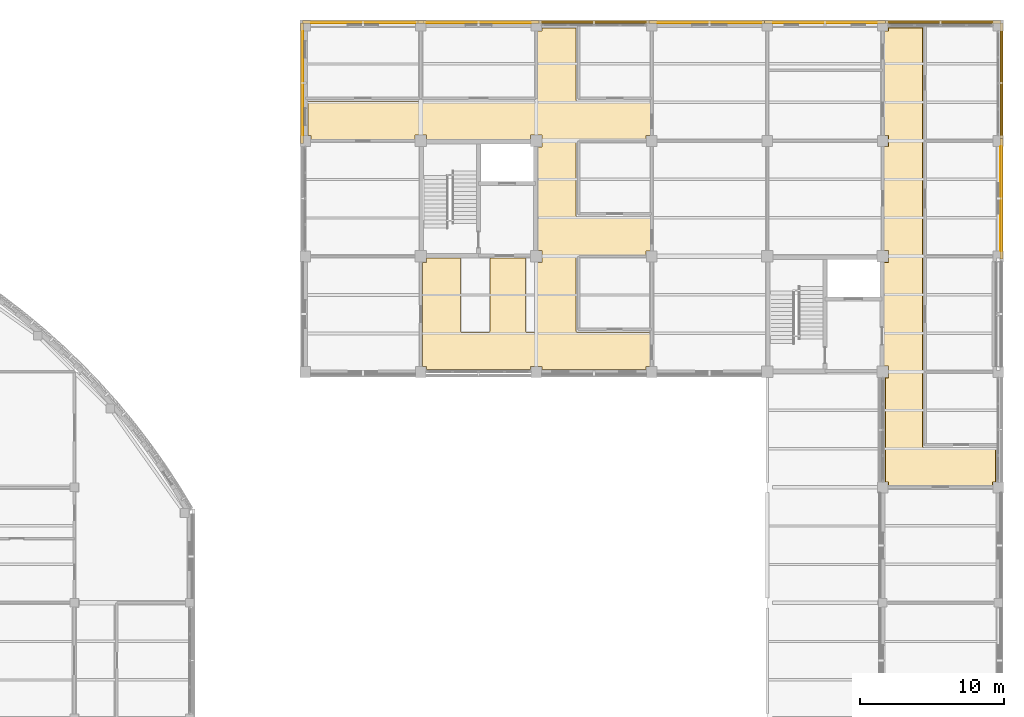
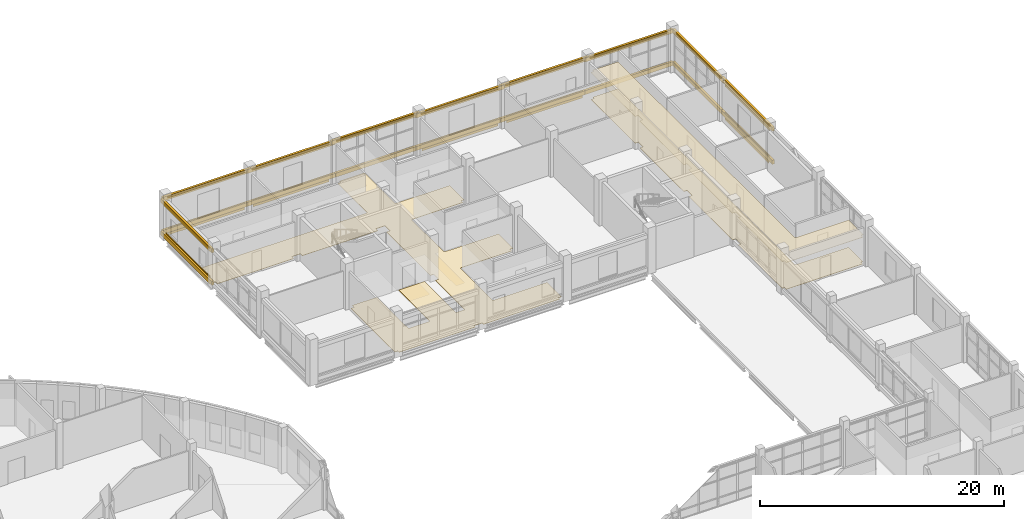
# One storey, part 121 of 121: 27 coverings, 10 shading devices.
"""IFC4 building model written with IfcOpenShell, lengths in metres."""

from ifc_helpers import new_model, si_unit, derived_unit, direction, frame, origin, origin_2d, place, context, subcontext, project, spatial, polyline, rectangle, circle, outline, extrude, material, layer, layer_set, material_profile, profile_set, type_object, element, save


model = new_model("IFC4")

# Units and contexts
model_context = context("Model", 3, precision=1e-05, world=origin(), true_north=direction((0.0, 1.0)))
body_context = subcontext(model_context, "Body", "Model", "MODEL_VIEW")
ifc_project = project(units=[si_unit("LENGTHUNIT", "METRE"), si_unit("AREAUNIT", "SQUARE_METRE"), si_unit("VOLUMEUNIT", "CUBIC_METRE"), si_unit("PLANEANGLEUNIT", "RADIAN"), si_unit("MASSUNIT", "GRAM", prefix="KILO"), derived_unit("THERMALTRANSMITTANCEUNIT", [(si_unit("MASSUNIT", "GRAM", prefix="KILO"), 1), (si_unit("TIMEUNIT", "SECOND"), -3), (si_unit("THERMODYNAMICTEMPERATUREUNIT", "KELVIN"), -1)])], contexts=[model_context])

# Site, building, storey
site_placement = place(None, origin())
site = spatial("IfcSite", under=ifc_project, at=site_placement, CompositionType="ELEMENT")
building_placement = place(site_placement, origin())
building = spatial("IfcBuilding", under=site, at=building_placement, Name="Veyamyaing Civic Hall", CompositionType="ELEMENT")
storey_placement = place(building_placement, frame((0.0, 0.0, 5.280029296875)))
storey = spatial("IfcBuildingStorey", under=building, at=storey_placement, Name="L01", CompositionType="ELEMENT", Elevation=5.280029296875)

# Coverings
ifc_material_1 = material(Name="Buff sandstone ashlar cladding", Category="masonry")
ifc_layer_1 = layer(ifc_material_1, 0.050048828125, Name="Buff sandstone ashlar cladding")
ifc_layer_set_1 = layer_set([ifc_layer_1], Name="Buff sandstone ashlar cladding")
covering_type_1 = type_object("IfcCoveringType", Name="CL-01", PredefinedType="CLADDING", material=ifc_layer_set_1)
for number, where, z_axis, x_axis, name in (
    (1, (132.0, 112.160888671875, 0.044921875), (0.0, 0.0, 1.0), (1.0, 0.0, 0.0), "Facade spandrel cladding CL-01 L01 N 17.14"),
    (2, (127.839111328125, 108.0, 0.044921875), (0.0, 0.0, 1.0), (0.0, 1.0, 0.0), "Facade spandrel cladding CL-01 L01 W 17.14"),
    (3, (140.0, 112.160888671875, 0.044921875), (0.0, 0.0, 1.0), (1.0, 0.0, 0.0), "Facade spandrel cladding CL-01 L01 N 18.14"),
    (4, (156.0, 112.160888671875, 0.044921875), (0.0, 0.0, 1.0), (1.0, 0.0, 0.0), "Facade spandrel cladding CL-01 L01 N 20.14"),
    (5, (164.0, 112.160888671875, 0.044921875), (0.0, 0.0, 1.0), (1.0, 0.0, 0.0), "Facade spandrel cladding CL-01 L01 N 21.14"),
    (6, (176.160888671875, 100.0, 0.044921875), (0.0, 0.0, 1.0), (0.0, 1.0, 0.0), "Facade spandrel cladding CL-01 L01 E 22.13"),
):
    element("IfcCovering", number, at=place(storey_placement, frame(where, z_axis=z_axis, x_axis=x_axis)), inside=storey, type_object=covering_type_1, Name=name, PredefinedType="CLADDING", context=body_context, shape_type="SweptSolid", body=[
        extrude(rectangle(XDim=7.199951171875, YDim=0.050048828125, at=origin_2d()), origin(), (0.0, 0.0, 1.0), 0.75),
    ])
ifc_material_2 = material(Name="White powder-coated aluminium 6063-T6", Category="aluminium")
ifc_layer_2 = layer(ifc_material_2, 0.2099609375, Name="White powder-coated aluminium 6063-T6")
ifc_layer_set_2 = layer_set([ifc_layer_2], Name="White powder-coated aluminium 6063-T6")
covering_type_2 = type_object("IfcCoveringType", Name="CL-03", PredefinedType="CLADDING", material=ifc_layer_set_2)
for number, where, z_axis, x_axis, name in (
    (7, (132.0, 112.239990234375, 3.596923828125), (0.0, 0.0, 1.0), (1.0, 0.0, 0.0), "Continuous white head fascia ribbon CL-03 L01 N 17.14"),
    (8, (132.0, 112.239990234375, 0.280029296875), (0.0, 0.0, 1.0), (1.0, 0.0, 0.0), "Continuous white sill fascia ribbon CL-03 L01 N 17.14"),
    (9, (127.760009765625, 108.0, 3.533935546875), (0.0, 0.0, 1.0), (0.0, 1.0, 0.0), "Continuous white head fascia ribbon CL-03 L01 W 17.14"),
    (10, (127.760009765625, 108.0, 0.280029296875), (0.0, 0.0, 1.0), (0.0, 1.0, 0.0), "Continuous white sill fascia ribbon CL-03 L01 W 17.14"),
    (11, (140.0, 112.239990234375, 3.574951171875), (0.0, 0.0, 1.0), (1.0, 0.0, 0.0), "Continuous white head fascia ribbon CL-03 L01 N 18.14"),
    (12, (140.0, 112.239990234375, 0.280029296875), (0.0, 0.0, 1.0), (1.0, 0.0, 0.0), "Continuous white sill fascia ribbon CL-03 L01 N 18.14"),
    (13, (148.0, 112.239990234375, 3.638916015625), (0.0, 0.0, 1.0), (1.0, 0.0, 0.0), "Continuous white head fascia ribbon CL-03 L01 N 19.14"),
    (14, (148.0, 112.239990234375, 0.280029296875), (0.0, 0.0, 1.0), (1.0, 0.0, 0.0), "Continuous white sill fascia ribbon CL-03 L01 N 19.14"),
    (15, (156.0, 112.239990234375, 3.533935546875), (0.0, 0.0, 1.0), (1.0, 0.0, 0.0), "Continuous white head fascia ribbon CL-03 L01 N 20.14"),
    (16, (156.0, 112.239990234375, 0.280029296875), (0.0, 0.0, 1.0), (1.0, 0.0, 0.0), "Continuous white sill fascia ribbon CL-03 L01 N 20.14"),
    (17, (164.0, 112.239990234375, 3.596923828125), (0.0, 0.0, 1.0), (1.0, 0.0, 0.0), "Continuous white head fascia ribbon CL-03 L01 N 21.14"),
    (18, (164.0, 112.239990234375, 0.280029296875), (0.0, 0.0, 1.0), (1.0, 0.0, 0.0), "Continuous white sill fascia ribbon CL-03 L01 N 21.14"),
    (19, (176.239990234375, 100.0, 3.596923828125), (0.0, 0.0, 1.0), (0.0, 1.0, 0.0), "Continuous white head fascia ribbon CL-03 L01 E 22.13"),
    (20, (176.239990234375, 100.0, 0.280029296875), (0.0, 0.0, 1.0), (0.0, 1.0, 0.0), "Continuous white sill fascia ribbon CL-03 L01 E 22.13"),
    (21, (172.0, 112.239990234375, 3.530029296875), (0.0, 0.0, 1.0), (1.0, 0.0, 0.0), "Continuous white head fascia ribbon CL-03 L01 N 22.14"),
    (22, (172.0, 112.239990234375, 0.280029296875), (0.0, 0.0, 1.0), (1.0, 0.0, 0.0), "Continuous white sill fascia ribbon CL-03 L01 N 22.14"),
    (23, (176.239990234375, 108.0, 3.530029296875), (0.0, 0.0, 1.0), (0.0, 1.0, 0.0), "Continuous white head fascia ribbon CL-03 L01 E 22.14"),
    (24, (176.239990234375, 108.0, 0.280029296875), (0.0, 0.0, 1.0), (0.0, 1.0, 0.0), "Continuous white sill fascia ribbon CL-03 L01 E 22.14"),
):
    element("IfcCovering", number, at=place(storey_placement, frame(where, z_axis=z_axis, x_axis=x_axis)), inside=storey, type_object=covering_type_2, Name=name, PredefinedType="CLADDING", context=body_context, shape_type="SweptSolid", body=[
        extrude(rectangle(XDim=8.360107421875, YDim=0.2099609375, at=origin_2d()), origin(), (0.0, 0.0, 1.0), 0.39990234375),
    ])
ifc_material_3 = material(Name="Perforated acoustic gypsum ceiling board")
ifc_layer_3 = layer(ifc_material_3, 0.02490234375, Name="Perforated acoustic gypsum ceiling board")
ifc_layer_set_3 = layer_set([ifc_layer_3], Name="Perforated acoustic gypsum ceiling board")
covering_type_3 = type_object("IfcCoveringType", Name="CLG-01", PredefinedType="CEILING", material=ifc_layer_set_3)
covering_1_placement = place(storey_placement, frame((0.0, 0.0, 2.699951171875)))
element("IfcCovering", 25, at=covering_1_placement, inside=storey, type_object=covering_type_3, Name="Acoustic suspended ceiling CLG-01 L01-C08", PredefinedType="CEILING", context=body_context, shape_type="SweptSolid", body=[
    extrude(outline(polyline([(170.783935546875, 82.8154296875), (170.802734375, 82.79248046875), (170.8291015625, 82.7783203125), (170.851806640625, 82.77490234375), (175.844970703125, 82.77490234375), (175.844970703125, 80.360107421875), (175.639892578125, 80.360107421875), (175.639892578125, 80.074951171875), (168.360107421875, 80.074951171875), (168.360107421875, 80.360107421875), (168.155029296875, 80.360107421875), (168.155029296875, 87.614990234375), (168.385009765625, 87.614990234375), (168.385009765625, 88.385009765625), (168.074951171875, 88.385009765625), (168.074951171875, 95.614990234375), (168.385009765625, 95.614990234375), (168.385009765625, 96.385009765625), (168.074951171875, 96.385009765625), (168.074951171875, 103.639892578125), (168.360107421875, 103.639892578125), (168.360107421875, 104.360107421875), (168.074951171875, 104.360107421875), (168.074951171875, 111.639892578125), (168.360107421875, 111.639892578125), (168.360107421875, 111.844970703125), (170.77490234375, 111.844970703125), (170.77685546875, 82.834716796875), (170.783935546875, 82.8154296875)])), origin(), (0.0, 0.0, 1.0), 0.02490234375),
])
ifc_material_4 = material(Name="Polished Mandalay marble and terrazzo flooring", Category="masonry")
ifc_layer_4 = layer(ifc_material_4, 0.030029296875, Name="Polished Mandalay marble and terrazzo flooring")
ifc_layer_set_4 = layer_set([ifc_layer_4], Name="Polished Mandalay marble and terrazzo flooring")
covering_type_4 = type_object("IfcCoveringType", Name="FLR-01", PredefinedType="FLOORING", material=ifc_layer_set_4)
covering_2_placement = place(storey_placement, origin())
element("IfcCovering", 26, at=covering_2_placement, inside=storey, type_object=covering_type_4, Name="Stone and terrazzo flooring FLR-01 L01-C07", PredefinedType="FLOORING", context=body_context, shape_type="SweptSolid", body=[
    extrude(outline(polyline([(138.76171875, 90.802978515625), (138.78662109375, 90.772705078125), (138.821044921875, 90.75439453125), (138.85009765625, 90.75), (140.699951171875, 90.75), (140.72900390625, 90.75439453125), (140.755615234375, 90.766845703125), (140.77734375, 90.78662109375), (140.79248046875, 90.811767578125), (140.800048828125, 90.85009765625), (140.800048828125, 95.89990234375), (143.25, 95.89990234375), (143.251953125, 90.83056640625), (143.26171875, 90.802978515625), (143.28662109375, 90.772705078125), (143.321044921875, 90.75439453125), (143.35009765625, 90.75), (144.009765625, 90.75048828125), (144.029052734375, 90.75439453125), (144.0556640625, 90.766845703125), (144.077392578125, 90.78662109375), (144.09228515625, 90.811767578125), (144.10009765625, 90.85009765625), (144.10009765625, 95.590087890625), (144.409912109375, 95.590087890625), (144.409912109375, 96.409912109375), (144.10009765625, 96.409912109375), (144.10009765625, 103.590087890625), (144.409912109375, 103.590087890625), (144.409912109375, 104.409912109375), (143.590087890625, 104.409912109375), (143.590087890625, 104.10009765625), (136.409912109375, 104.10009765625), (136.409912109375, 104.409912109375), (135.590087890625, 104.409912109375), (135.590087890625, 104.10009765625), (128.385009765625, 104.10009765625), (128.385009765625, 104.385009765625), (128.179931640625, 104.385009765625), (128.179931640625, 106.75), (144.0, 106.75), (144.029052734375, 106.75439453125), (144.0556640625, 106.766845703125), (144.0830078125, 106.79443359375), (144.095703125, 106.821044921875), (144.10009765625, 106.85009765625), (144.10009765625, 111.614990234375), (144.385009765625, 111.614990234375), (144.385009765625, 111.820068359375), (146.75, 111.820068359375), (146.75, 106.85009765625), (146.757568359375, 106.811767578125), (146.779296875, 106.779296875), (146.811767578125, 106.757568359375), (146.85009765625, 106.75), (151.89990234375, 106.75), (151.89990234375, 104.385009765625), (151.614990234375, 104.385009765625), (151.614990234375, 104.10009765625), (146.85009765625, 104.10009765625), (146.821044921875, 104.095703125), (146.79443359375, 104.0830078125), (146.766845703125, 104.0556640625), (146.75439453125, 104.029052734375), (146.75, 104.0), (146.75, 98.85009765625), (146.75439453125, 98.821044921875), (146.766845703125, 98.79443359375), (146.78662109375, 98.772705078125), (146.802978515625, 98.76171875), (146.821044921875, 98.75439453125), (146.85009765625, 98.75), (151.89990234375, 98.75), (151.89990234375, 96.385009765625), (151.614990234375, 96.385009765625), (151.614990234375, 96.10009765625), (146.85009765625, 96.10009765625), (146.811767578125, 96.09228515625), (146.779296875, 96.07080078125), (146.757568359375, 96.038330078125), (146.75, 96.0), (146.751953125, 90.83056640625), (146.76171875, 90.802978515625), (146.78662109375, 90.772705078125), (146.821044921875, 90.75439453125), (146.85009765625, 90.75), (151.89990234375, 90.75), (151.89990234375, 88.385009765625), (151.614990234375, 88.385009765625), (151.614990234375, 88.179931640625), (144.385009765625, 88.179931640625), (144.385009765625, 88.385009765625), (143.614990234375, 88.385009765625), (143.614990234375, 88.179931640625), (136.385009765625, 88.179931640625), (136.385009765625, 88.385009765625), (136.10009765625, 88.385009765625), (136.10009765625, 95.590087890625), (136.409912109375, 95.590087890625), (136.409912109375, 95.89990234375), (138.75, 95.89990234375), (138.751953125, 90.83056640625), (138.76171875, 90.802978515625)])), origin(), (0.0, 0.0, 1.0), 0.030029296875),
])
covering_3_placement = place(storey_placement, origin())
element("IfcCovering", 27, at=covering_3_placement, inside=storey, type_object=covering_type_4, Name="Stone and terrazzo flooring FLR-01 L01-C08", PredefinedType="FLOORING", context=body_context, shape_type="SweptSolid", body=[
    extrude(outline(polyline([(170.76171875, 82.802978515625), (170.78662109375, 82.772705078125), (170.821044921875, 82.75439453125), (170.85009765625, 82.75), (175.820068359375, 82.75), (175.820068359375, 80.385009765625), (175.614990234375, 80.385009765625), (175.614990234375, 80.10009765625), (168.385009765625, 80.10009765625), (168.385009765625, 80.385009765625), (168.179931640625, 80.385009765625), (168.179931640625, 87.590087890625), (168.409912109375, 87.590087890625), (168.409912109375, 88.409912109375), (168.10009765625, 88.409912109375), (168.10009765625, 95.590087890625), (168.409912109375, 95.590087890625), (168.409912109375, 96.409912109375), (168.10009765625, 96.409912109375), (168.10009765625, 103.614990234375), (168.385009765625, 103.614990234375), (168.385009765625, 104.385009765625), (168.10009765625, 104.385009765625), (168.10009765625, 111.614990234375), (168.385009765625, 111.614990234375), (168.385009765625, 111.820068359375), (170.75, 111.820068359375), (170.751953125, 82.83056640625), (170.76171875, 82.802978515625)])), origin(), (0.0, 0.0, 1.0), 0.030029296875),
])

# Shading devices
ifc_material_5 = material(Name="Anodised aluminium 6063-T6", Category="aluminium")
ifc_material_profile_1 = material_profile(ifc_material_5, rectangle(XDim=0.050048828125, YDim=0.25, at=origin_2d()), Name="LOUVRE-BLADE-50X250")
ifc_profile_set_1 = profile_set([ifc_material_profile_1], Name="Anodised aluminium 6063-T6")
shading_device_type_1 = type_object("IfcShadingDeviceType", Name="LV-01", PredefinedType="JALOUSIE", material=ifc_profile_set_1)
shading_device_placement = place(storey_placement, frame((176.219970703125, 96.360107421875, 3.427001953125), z_axis=(0.0, 1.0, 0.0), x_axis=(-1.0, 0.0, 0.0)))
element("IfcShadingDevice", 28, at=shading_device_placement, inside=storey, type_object=shading_device_type_1, Name="Monsoon solar louvre LV-01 L01 E 22.13", PredefinedType="JALOUSIE", context=body_context, shape_type="SweptSolid", body=[
    extrude(rectangle(XDim=0.050048828125, YDim=0.25, at=origin_2d()), origin(), (0.0, 0.0, 1.0), 7.27978515625),
])
ifc_material_profile_2 = material_profile(ifc_material_2, circle(Radius=0.090087890625, at=origin_2d()), Name="SHADE-TUBE-180")
ifc_profile_set_2 = profile_set([ifc_material_profile_2], Name="White powder-coated aluminium 6063-T6")
shading_device_type_2 = type_object("IfcShadingDeviceType", Name="SH-02", PredefinedType="USERDEFINED", material=ifc_profile_set_2)
for number, where, z_axis, x_axis, name in (
    (29, (128.360107421875, 112.239990234375, 3.757080078125), (1.0, 0.0, 0.0), (0.0, 1.0, 0.0), "Horizontal white sunshade ribbon SH-02 L01 N 17.14"),
    (30, (127.760009765625, 104.360107421875, 3.694091796875), (0.0, 1.0, 0.0), (-1.0, 0.0, 0.0), "Horizontal white sunshade ribbon SH-02 L01 W 17.14"),
    (31, (136.360107421875, 112.239990234375, 3.73486328125), (1.0, 0.0, 0.0), (0.0, 1.0, 0.0), "Horizontal white sunshade ribbon SH-02 L01 N 18.14"),
    (32, (144.360107421875, 112.239990234375, 3.799072265625), (1.0, 0.0, 0.0), (0.0, 1.0, 0.0), "Horizontal white sunshade ribbon SH-02 L01 N 19.14"),
    (33, (152.360107421875, 112.239990234375, 3.694091796875), (1.0, 0.0, 0.0), (0.0, 1.0, 0.0), "Horizontal white sunshade ribbon SH-02 L01 N 20.14"),
    (34, (160.360107421875, 112.239990234375, 3.757080078125), (1.0, 0.0, 0.0), (0.0, 1.0, 0.0), "Horizontal white sunshade ribbon SH-02 L01 N 21.14"),
    (35, (176.239990234375, 96.360107421875, 3.757080078125), (0.0, 1.0, 0.0), (-1.0, 0.0, 0.0), "Horizontal white sunshade ribbon SH-02 L01 E 22.13"),
    (36, (168.360107421875, 112.239990234375, 3.68994140625), (1.0, 0.0, 0.0), (0.0, 1.0, 0.0), "Horizontal white sunshade ribbon SH-02 L01 N 22.14"),
    (37, (176.239990234375, 104.360107421875, 3.68994140625), (0.0, 1.0, 0.0), (-1.0, 0.0, 0.0), "Horizontal white sunshade ribbon SH-02 L01 E 22.14"),
):
    element("IfcShadingDevice", number, at=place(storey_placement, frame(where, z_axis=z_axis, x_axis=x_axis)), inside=storey, type_object=shading_device_type_2, Name=name, ObjectType="SUNSHADE", PredefinedType="USERDEFINED", context=body_context, shape_type="SweptSolid", body=[
        extrude(circle(Radius=0.090087890625, at=origin_2d()), origin(), (0.0, 0.0, 1.0), 7.27978515625),
    ])

save(model, "model.ifc")
